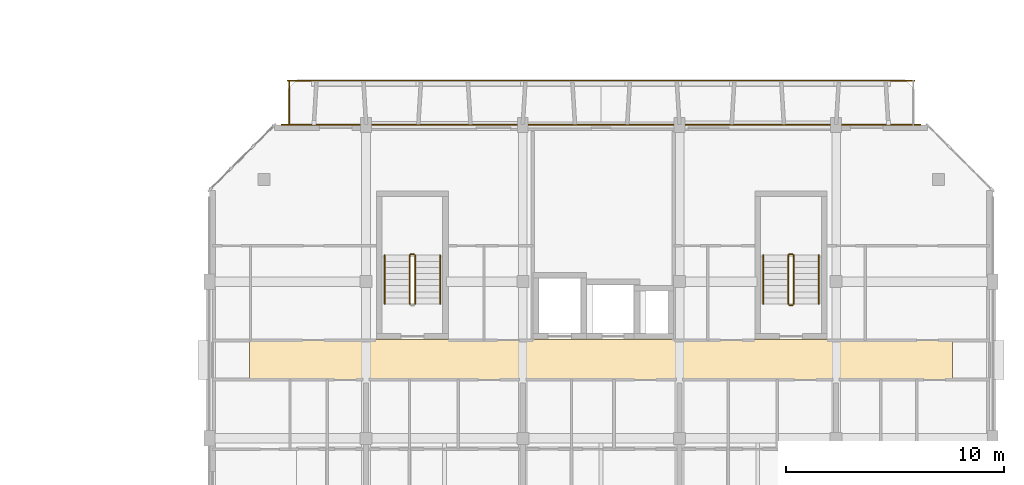
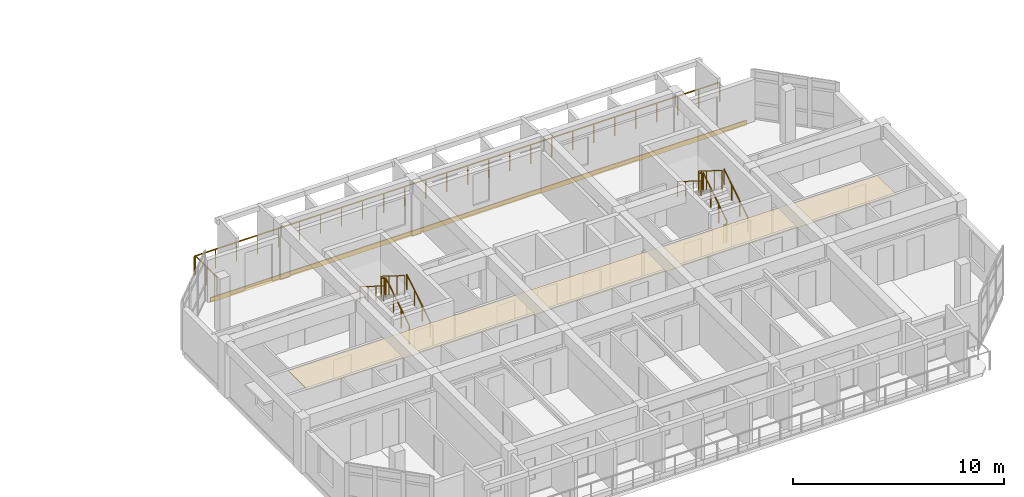
# One storey, part 40 of 43: 13 railings, 2 coverings.
"""IFC4 building model written with IfcOpenShell, lengths in metres."""

from ifc_helpers import new_model, si_unit, direction, frame, origin, origin_2d, place, context, subcontext, project, spatial, polyline, rectangle, circle, outline, extrude, material, layer, layer_set, type_object, element, save


model = new_model("IFC4")

# Units and contexts
model_context = context("Model", 3, precision=1e-05, world=origin(), true_north=direction((0.0, 1.0)))
body_context = subcontext(model_context, "Body", "Model", "MODEL_VIEW")
ifc_project = project(units=[si_unit("LENGTHUNIT", "METRE"), si_unit("AREAUNIT", "SQUARE_METRE"), si_unit("VOLUMEUNIT", "CUBIC_METRE"), si_unit("PLANEANGLEUNIT", "RADIAN"), si_unit("MASSUNIT", "GRAM", prefix="KILO")], contexts=[model_context])

# Site, building, storey
site_placement = place(None, origin())
site = spatial("IfcSite", under=ifc_project, at=site_placement, CompositionType="ELEMENT")
building_placement = place(site_placement, origin())
building = spatial("IfcBuilding", under=site, at=building_placement, Name="Ochrevale Crest", CompositionType="ELEMENT")
storey_placement = place(building_placement, frame((0.0, 0.0, 15.0)))
storey = spatial("IfcBuildingStorey", under=building, at=storey_placement, Name="L04", CompositionType="ELEMENT", Elevation=15.0)

# Coverings
ifc_material_1 = material(Name="Gypsum plasterboard", Category="gypsum")
ifc_layer_1 = layer(ifc_material_1, 0.02490234375)
ifc_layer_set_1 = layer_set([ifc_layer_1], Name="Gypsum plasterboard")
covering_type_1 = type_object("IfcCoveringType", Name="COV-CEIL-GYP", PredefinedType="CEILING", material=ifc_layer_set_1)
covering_1_placement = place(storey_placement, frame((0.0, 0.0, 2.280029296875)))
element("IfcCovering", 1, at=covering_1_placement, inside=storey, type_object=covering_type_1, Name="Block C L04 acoustic corridor ceiling", PredefinedType="CEILING", context=body_context, shape_type="SweptSolid", body=[
    extrude(outline(polyline([(131.449951171875, 24.260009765625), (163.75, 24.260009765625), (163.75, 26.139892578125), (131.449951171875, 26.139892578125), (131.449951171875, 24.260009765625)])), origin(), (0.0, 0.0, 1.0), 0.02490234375),
])
ifc_material_2 = material(Name="Glazed terracotta rainscreen tile", Category="masonry")
ifc_layer_2 = layer(ifc_material_2, 0.048095703125)
ifc_layer_set_2 = layer_set([ifc_layer_2], Name="Glazed terracotta rainscreen tile")
covering_type_2 = type_object("IfcCoveringType", Name="COV-CLAD-TER", PredefinedType="CLADDING", material=ifc_layer_set_2)
covering_2_placement = place(storey_placement, frame((147.60009765625, 36.012451171875, -0.26025390625), z_axis=(0.0, 0.0, 1.0), x_axis=(-1.0, 0.0, 0.0)))
element("IfcCovering", 2, at=covering_2_placement, inside=storey, type_object=covering_type_2, Name="Block C L04 terracotta slab-edge spandrel cladding", PredefinedType="CLADDING", context=body_context, shape_type="SweptSolid", body=[
    extrude(rectangle(XDim=29.39990234375, YDim=0.06005859375, at=origin_2d()), origin(), (0.0, 0.0, 1.0), 0.280029296875),
])

# Railings
ifc_material_3 = material(Name="Galvanised steel", Category="steel")
railing_type_1 = type_object("IfcRailingType", Name="RL-BAL-1100", PredefinedType="BALUSTRADE", material=ifc_material_3)
railing_1_placement = place(storey_placement, frame((133.199951171875, 38.0400390625, 0.0)))
element("IfcRailing", 3, at=railing_1_placement, inside=storey, type_object=railing_type_1, Name="Block C L04 N balcony front balustrade", PredefinedType="BALUSTRADE", context=body_context, shape_type="SweptSolid", body=[
    extrude(circle(Radius=0.02392578125, at=origin_2d()), frame((0.0, 0.0, 1.0859375), z_axis=(1.0, 0.0, 0.0), x_axis=(0.0, 1.0, 0.0)), (0.0, 0.0, 1.0), 28.800048828125),
    extrude(circle(Radius=0.02099609375, at=origin_2d()), origin(), (0.0, 0.0, 1.0), 1.06201171875),
    extrude(circle(Radius=0.02099609375, at=origin_2d()), frame((1.152099609375, 0.0, 0.0)), (0.0, 0.0, 1.0), 1.06201171875),
    extrude(circle(Radius=0.02099609375, at=origin_2d()), frame((2.303955078125, 0.0, 0.0)), (0.0, 0.0, 1.0), 1.06201171875),
    extrude(circle(Radius=0.02099609375, at=origin_2d()), frame((3.4560546875, 0.0, 0.0)), (0.0, 0.0, 1.0), 1.06201171875),
    extrude(circle(Radius=0.02099609375, at=origin_2d()), frame((4.60791015625, 0.0, 0.0)), (0.0, 0.0, 1.0), 1.06201171875),
    extrude(circle(Radius=0.02099609375, at=origin_2d()), frame((5.760009765625, 0.0, 0.0)), (0.0, 0.0, 1.0), 1.06201171875),
    extrude(circle(Radius=0.02099609375, at=origin_2d()), frame((6.912109375, 0.0, 0.0)), (0.0, 0.0, 1.0), 1.06201171875),
    extrude(circle(Radius=0.02099609375, at=origin_2d()), frame((8.06396484375, 0.0, 0.0)), (0.0, 0.0, 1.0), 1.06201171875),
    extrude(circle(Radius=0.02099609375, at=origin_2d()), frame((9.216064453125, 0.0, 0.0)), (0.0, 0.0, 1.0), 1.06201171875),
    extrude(circle(Radius=0.02099609375, at=origin_2d()), frame((10.367919921875, 0.0, 0.0)), (0.0, 0.0, 1.0), 1.06201171875),
    extrude(circle(Radius=0.02099609375, at=origin_2d()), frame((11.52001953125, 0.0, 0.0)), (0.0, 0.0, 1.0), 1.06201171875),
    extrude(circle(Radius=0.02099609375, at=origin_2d()), frame((12.672119140625, 0.0, 0.0)), (0.0, 0.0, 1.0), 1.06201171875),
    extrude(circle(Radius=0.02099609375, at=origin_2d()), frame((13.823974609375, 0.0, 0.0)), (0.0, 0.0, 1.0), 1.06201171875),
    extrude(circle(Radius=0.02099609375, at=origin_2d()), frame((14.97607421875, 0.0, 0.0)), (0.0, 0.0, 1.0), 1.06201171875),
    extrude(circle(Radius=0.02099609375, at=origin_2d()), frame((16.1279296875, 0.0, 0.0)), (0.0, 0.0, 1.0), 1.06201171875),
    extrude(circle(Radius=0.02099609375, at=origin_2d()), frame((17.280029296875, 0.0, 0.0)), (0.0, 0.0, 1.0), 1.06201171875),
    extrude(circle(Radius=0.02099609375, at=origin_2d()), frame((18.43212890625, 0.0, 0.0)), (0.0, 0.0, 1.0), 1.06201171875),
    extrude(circle(Radius=0.02099609375, at=origin_2d()), frame((19.583984375, 0.0, 0.0)), (0.0, 0.0, 1.0), 1.06201171875),
    extrude(circle(Radius=0.02099609375, at=origin_2d()), frame((20.736083984375, 0.0, 0.0)), (0.0, 0.0, 1.0), 1.06201171875),
    extrude(circle(Radius=0.02099609375, at=origin_2d()), frame((21.887939453125, 0.0, 0.0)), (0.0, 0.0, 1.0), 1.06201171875),
    extrude(circle(Radius=0.02099609375, at=origin_2d()), frame((23.0400390625, 0.0, 0.0)), (0.0, 0.0, 1.0), 1.06201171875),
    extrude(circle(Radius=0.02099609375, at=origin_2d()), frame((24.192138671875, 0.0, 0.0)), (0.0, 0.0, 1.0), 1.06201171875),
    extrude(circle(Radius=0.02099609375, at=origin_2d()), frame((25.343994140625, 0.0, 0.0)), (0.0, 0.0, 1.0), 1.06201171875),
    extrude(circle(Radius=0.02099609375, at=origin_2d()), frame((26.49609375, 0.0, 0.0)), (0.0, 0.0, 1.0), 1.06201171875),
    extrude(circle(Radius=0.02099609375, at=origin_2d()), frame((27.64794921875, 0.0, 0.0)), (0.0, 0.0, 1.0), 1.06201171875),
    extrude(circle(Radius=0.02099609375, at=origin_2d()), frame((28.800048828125, 0.0, 0.0)), (0.0, 0.0, 1.0), 1.06201171875),
])
railing_2_placement = place(storey_placement, frame((133.260009765625, 36.0, 0.0)))
element("IfcRailing", 4, at=railing_2_placement, inside=storey, type_object=railing_type_1, Name="Block C L04 N-W balcony side guard", PredefinedType="BALUSTRADE", context=body_context, shape_type="SweptSolid", body=[
    extrude(circle(Radius=0.02392578125, at=origin_2d()), frame((0.0, 0.0, 1.0859375), z_axis=(0.0, 1.0, 0.0), x_axis=(-1.0, 0.0, 0.0)), (0.0, 0.0, 1.0), 2.0400390625),
    extrude(circle(Radius=0.02099609375, at=origin_2d()), origin(), (0.0, 0.0, 1.0), 1.06201171875),
    extrude(circle(Radius=0.02099609375, at=origin_2d()), frame((0.0, 1.02001953125, 0.0)), (0.0, 0.0, 1.0), 1.06201171875),
    extrude(circle(Radius=0.02099609375, at=origin_2d()), frame((0.0, 2.0400390625, 0.0)), (0.0, 0.0, 1.0), 1.06201171875),
])
railing_type_2 = type_object("IfcRailingType", Name="RL-ST-GUARD", PredefinedType="BALUSTRADE", material=ifc_material_3)
railing_3_placement = place(storey_placement, frame((139.050048828125, 27.77490234375, 0.175048828125)))
element("IfcRailing", 5, at=railing_3_placement, inside=storey, type_object=railing_type_2, Name="L04 ST-C1 stair guard 1", PredefinedType="BALUSTRADE", context=body_context, shape_type="SweptSolid", body=[
    extrude(circle(Radius=0.02392578125, at=origin_2d()), frame((0.0, 0.0, 1.076171875), z_axis=(0.0, 0.848013881152, 0.529974015752), x_axis=(-1.0, 0.0, 0.0)), (0.0, 0.0, 1.0), 2.641357421875),
    extrude(circle(Radius=0.02099609375, at=origin_2d()), origin(), (0.0, 0.0, 1.0), 1.052001953125),
    extrude(circle(Radius=0.02099609375, at=origin_2d()), frame((0.0, 0.74658203125, 0.466552734375)), (0.0, 0.0, 1.0), 1.052001953125),
    extrude(circle(Radius=0.02099609375, at=origin_2d()), frame((0.0, 1.493408203125, 0.933349609375)), (0.0, 0.0, 1.0), 1.052001953125),
    extrude(circle(Radius=0.02099609375, at=origin_2d()), frame((0.0, 2.239990234375, 1.39990234375)), (0.0, 0.0, 1.0), 1.052001953125),
])
railing_4_placement = place(storey_placement, frame((139.0, 30.06494140625, 1.574951171875)))
element("IfcRailing", 6, at=railing_4_placement, inside=storey, type_object=railing_type_2, Name="L04 ST-C1 stair guard 2", PredefinedType="BALUSTRADE", context=body_context, shape_type="SweptSolid", body=[
    extrude(circle(Radius=0.02392578125, at=origin_2d()), frame((0.0, 0.0, 1.076171875), z_axis=(-1.0, 0.0, 0.0), x_axis=(0.0, -1.0, 0.0)), (0.0, 0.0, 1.0), 0.14990234375),
    extrude(circle(Radius=0.02099609375, at=origin_2d()), origin(), (0.0, 0.0, 1.0), 1.052001953125),
    extrude(circle(Radius=0.02099609375, at=origin_2d()), frame((-0.14990234375, 0.0, 0.0)), (0.0, 0.0, 1.0), 1.052001953125),
])
railing_5_placement = place(storey_placement, frame((138.800048828125, 30.014892578125, 1.75)))
element("IfcRailing", 7, at=railing_5_placement, inside=storey, type_object=railing_type_2, Name="L04 ST-C1 stair guard 3", PredefinedType="BALUSTRADE", context=body_context, shape_type="SweptSolid", body=[
    extrude(circle(Radius=0.02392578125, at=origin_2d()), frame((0.0, 0.0, 1.076171875), z_axis=(0.0, -0.848013881152, 0.529974015752), x_axis=(1.0, 0.0, 0.0)), (0.0, 0.0, 1.0), 2.641357421875),
    extrude(circle(Radius=0.02099609375, at=origin_2d()), origin(), (0.0, 0.0, 1.0), 1.052001953125),
    extrude(circle(Radius=0.02099609375, at=origin_2d()), frame((0.0, -0.74658203125, 0.466552734375)), (0.0, 0.0, 1.0), 1.052001953125),
    extrude(circle(Radius=0.02099609375, at=origin_2d()), frame((0.0, -1.493408203125, 0.933349609375)), (0.0, 0.0, 1.0), 1.052001953125),
    extrude(circle(Radius=0.02099609375, at=origin_2d()), frame((0.0, -2.239990234375, 1.39990234375)), (0.0, 0.0, 1.0), 1.052001953125),
])
railing_6_placement = place(storey_placement, frame((156.449951171875, 27.77490234375, 0.175048828125)))
element("IfcRailing", 8, at=railing_6_placement, inside=storey, type_object=railing_type_2, Name="L04 ST-C2 stair guard 1", PredefinedType="BALUSTRADE", context=body_context, shape_type="SweptSolid", body=[
    extrude(circle(Radius=0.02392578125, at=origin_2d()), frame((0.0, 0.0, 1.076171875), z_axis=(0.0, 0.848013881152, 0.529974015752), x_axis=(-1.0, 0.0, 0.0)), (0.0, 0.0, 1.0), 2.641357421875),
    extrude(circle(Radius=0.02099609375, at=origin_2d()), origin(), (0.0, 0.0, 1.0), 1.052001953125),
    extrude(circle(Radius=0.02099609375, at=origin_2d()), frame((0.0, 0.74658203125, 0.466552734375)), (0.0, 0.0, 1.0), 1.052001953125),
    extrude(circle(Radius=0.02099609375, at=origin_2d()), frame((0.0, 1.493408203125, 0.933349609375)), (0.0, 0.0, 1.0), 1.052001953125),
    extrude(circle(Radius=0.02099609375, at=origin_2d()), frame((0.0, 2.239990234375, 1.39990234375)), (0.0, 0.0, 1.0), 1.052001953125),
])
railing_7_placement = place(storey_placement, frame((156.39990234375, 30.06494140625, 1.574951171875)))
element("IfcRailing", 9, at=railing_7_placement, inside=storey, type_object=railing_type_2, Name="L04 ST-C2 stair guard 2", PredefinedType="BALUSTRADE", context=body_context, shape_type="SweptSolid", body=[
    extrude(circle(Radius=0.02392578125, at=origin_2d()), frame((0.0, 0.0, 1.076171875), z_axis=(-1.0, 0.0, 0.0), x_axis=(0.0, -1.0, 0.0)), (0.0, 0.0, 1.0), 0.14990234375),
    extrude(circle(Radius=0.02099609375, at=origin_2d()), origin(), (0.0, 0.0, 1.0), 1.052001953125),
    extrude(circle(Radius=0.02099609375, at=origin_2d()), frame((-0.14990234375, 0.0, 0.0)), (0.0, 0.0, 1.0), 1.052001953125),
])
railing_8_placement = place(storey_placement, frame((156.199951171875, 30.014892578125, 1.75)))
element("IfcRailing", 10, at=railing_8_placement, inside=storey, type_object=railing_type_2, Name="L04 ST-C2 stair guard 3", PredefinedType="BALUSTRADE", context=body_context, shape_type="SweptSolid", body=[
    extrude(circle(Radius=0.02392578125, at=origin_2d()), frame((0.0, 0.0, 1.076171875), z_axis=(0.0, -0.848013881152, 0.529974015752), x_axis=(1.0, 0.0, 0.0)), (0.0, 0.0, 1.0), 2.641357421875),
    extrude(circle(Radius=0.02099609375, at=origin_2d()), origin(), (0.0, 0.0, 1.0), 1.052001953125),
    extrude(circle(Radius=0.02099609375, at=origin_2d()), frame((0.0, -0.74658203125, 0.466552734375)), (0.0, 0.0, 1.0), 1.052001953125),
    extrude(circle(Radius=0.02099609375, at=origin_2d()), frame((0.0, -1.493408203125, 0.933349609375)), (0.0, 0.0, 1.0), 1.052001953125),
    extrude(circle(Radius=0.02099609375, at=origin_2d()), frame((0.0, -2.239990234375, 1.39990234375)), (0.0, 0.0, 1.0), 1.052001953125),
])
railing_9_placement = place(storey_placement, frame((156.39990234375, 27.72509765625, 0.0)))
element("IfcRailing", 11, at=railing_9_placement, inside=storey, type_object=railing_type_2, Name="L04 ST-C2 stair guard 4", PredefinedType="BALUSTRADE", context=body_context, shape_type="SweptSolid", body=[
    extrude(circle(Radius=0.02392578125, at=origin_2d()), frame((0.0, 0.0, 1.076171875), z_axis=(-1.0, 0.0, 0.0), x_axis=(0.0, -1.0, 0.0)), (0.0, 0.0, 1.0), 0.14990234375),
    extrude(circle(Radius=0.02099609375, at=origin_2d()), origin(), (0.0, 0.0, 1.0), 1.052001953125),
    extrude(circle(Radius=0.02099609375, at=origin_2d()), frame((-0.14990234375, 0.0, 0.0)), (0.0, 0.0, 1.0), 1.052001953125),
])
ifc_material_4 = material(Name="Stainless steel", Category="steel")
railing_type_3 = type_object("IfcRailingType", Name="RL-ST-HRAIL", PredefinedType="HANDRAIL", material=ifc_material_4)
railing_10_placement = place(storey_placement, frame((140.199951171875, 27.77490234375, 0.175048828125)))
element("IfcRailing", 12, at=railing_10_placement, inside=storey, type_object=railing_type_3, Name="L04 ST-C1 stair handrail 1", PredefinedType="HANDRAIL", context=body_context, shape_type="SweptSolid", body=[
    extrude(circle(Radius=0.02392578125, at=origin_2d()), frame((0.0, 0.0, 0.8759765625), z_axis=(0.0, 0.848013881152, 0.529974015752), x_axis=(-1.0, 0.0, 0.0)), (0.0, 0.0, 1.0), 2.641357421875),
    extrude(circle(Radius=0.02099609375, at=origin_2d()), origin(), (0.0, 0.0, 1.0), 0.851806640625),
    extrude(circle(Radius=0.02099609375, at=origin_2d()), frame((0.0, 0.74658203125, 0.466552734375)), (0.0, 0.0, 1.0), 0.851806640625),
    extrude(circle(Radius=0.02099609375, at=origin_2d()), frame((0.0, 1.493408203125, 0.933349609375)), (0.0, 0.0, 1.0), 0.851806640625),
    extrude(circle(Radius=0.02099609375, at=origin_2d()), frame((0.0, 2.239990234375, 1.39990234375)), (0.0, 0.0, 1.0), 0.851806640625),
])
railing_11_placement = place(storey_placement, frame((137.64990234375, 30.014892578125, 1.75)))
element("IfcRailing", 13, at=railing_11_placement, inside=storey, type_object=railing_type_3, Name="L04 ST-C1 stair handrail 2", PredefinedType="HANDRAIL", context=body_context, shape_type="SweptSolid", body=[
    extrude(circle(Radius=0.02392578125, at=origin_2d()), frame((0.0, 0.0, 0.8759765625), z_axis=(0.0, -0.848013881152, 0.529974015752), x_axis=(1.0, 0.0, 0.0)), (0.0, 0.0, 1.0), 2.641357421875),
    extrude(circle(Radius=0.02099609375, at=origin_2d()), origin(), (0.0, 0.0, 1.0), 0.851806640625),
    extrude(circle(Radius=0.02099609375, at=origin_2d()), frame((0.0, -0.74658203125, 0.466552734375)), (0.0, 0.0, 1.0), 0.851806640625),
    extrude(circle(Radius=0.02099609375, at=origin_2d()), frame((0.0, -1.493408203125, 0.933349609375)), (0.0, 0.0, 1.0), 0.851806640625),
    extrude(circle(Radius=0.02099609375, at=origin_2d()), frame((0.0, -2.239990234375, 1.39990234375)), (0.0, 0.0, 1.0), 0.851806640625),
])
railing_12_placement = place(storey_placement, frame((157.60009765625, 27.77490234375, 0.175048828125)))
element("IfcRailing", 14, at=railing_12_placement, inside=storey, type_object=railing_type_3, Name="L04 ST-C2 stair handrail 1", PredefinedType="HANDRAIL", context=body_context, shape_type="SweptSolid", body=[
    extrude(circle(Radius=0.02392578125, at=origin_2d()), frame((0.0, 0.0, 0.8759765625), z_axis=(0.0, 0.848013881152, 0.529974015752), x_axis=(-1.0, 0.0, 0.0)), (0.0, 0.0, 1.0), 2.641357421875),
    extrude(circle(Radius=0.02099609375, at=origin_2d()), origin(), (0.0, 0.0, 1.0), 0.851806640625),
    extrude(circle(Radius=0.02099609375, at=origin_2d()), frame((0.0, 0.74658203125, 0.466552734375)), (0.0, 0.0, 1.0), 0.851806640625),
    extrude(circle(Radius=0.02099609375, at=origin_2d()), frame((0.0, 1.493408203125, 0.933349609375)), (0.0, 0.0, 1.0), 0.851806640625),
    extrude(circle(Radius=0.02099609375, at=origin_2d()), frame((0.0, 2.239990234375, 1.39990234375)), (0.0, 0.0, 1.0), 0.851806640625),
])
railing_13_placement = place(storey_placement, frame((155.050048828125, 30.014892578125, 1.75)))
element("IfcRailing", 15, at=railing_13_placement, inside=storey, type_object=railing_type_3, Name="L04 ST-C2 stair handrail 2", PredefinedType="HANDRAIL", context=body_context, shape_type="SweptSolid", body=[
    extrude(circle(Radius=0.02392578125, at=origin_2d()), frame((0.0, 0.0, 0.8759765625), z_axis=(0.0, -0.848013881152, 0.529974015752), x_axis=(1.0, 0.0, 0.0)), (0.0, 0.0, 1.0), 2.641357421875),
    extrude(circle(Radius=0.02099609375, at=origin_2d()), origin(), (0.0, 0.0, 1.0), 0.851806640625),
    extrude(circle(Radius=0.02099609375, at=origin_2d()), frame((0.0, -0.74658203125, 0.466552734375)), (0.0, 0.0, 1.0), 0.851806640625),
    extrude(circle(Radius=0.02099609375, at=origin_2d()), frame((0.0, -1.493408203125, 0.933349609375)), (0.0, 0.0, 1.0), 0.851806640625),
    extrude(circle(Radius=0.02099609375, at=origin_2d()), frame((0.0, -2.239990234375, 1.39990234375)), (0.0, 0.0, 1.0), 0.851806640625),
])

save(model, "model.ifc")
